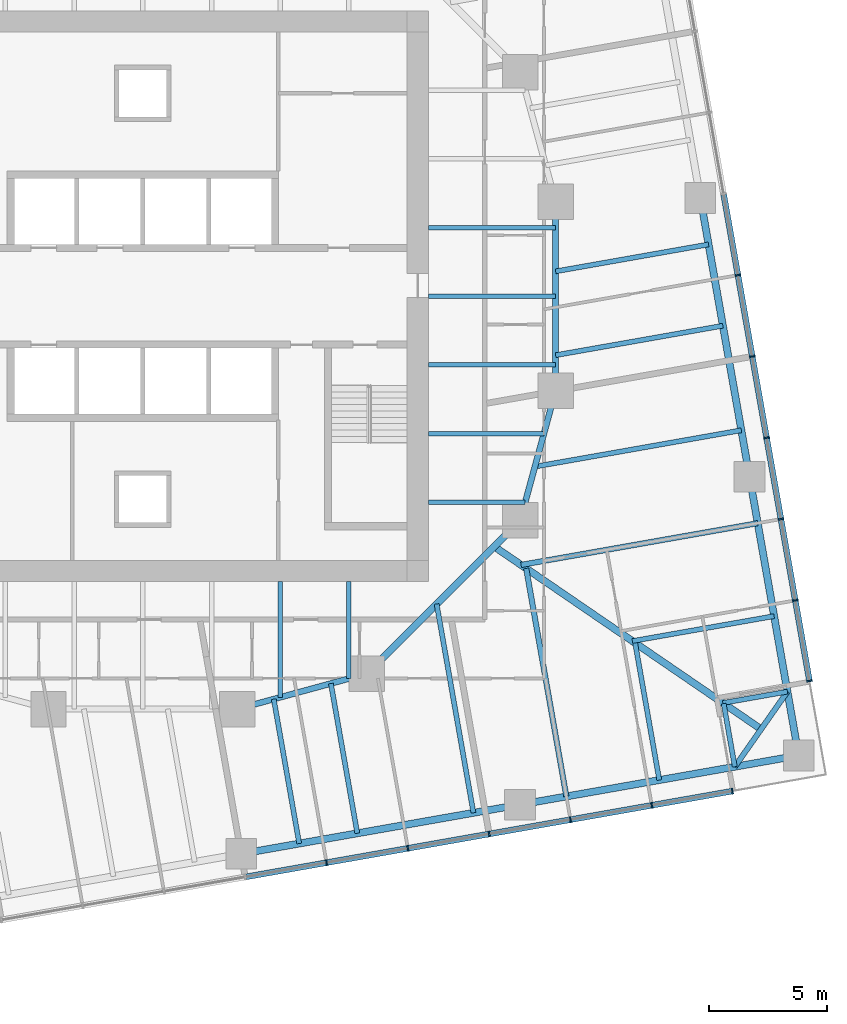
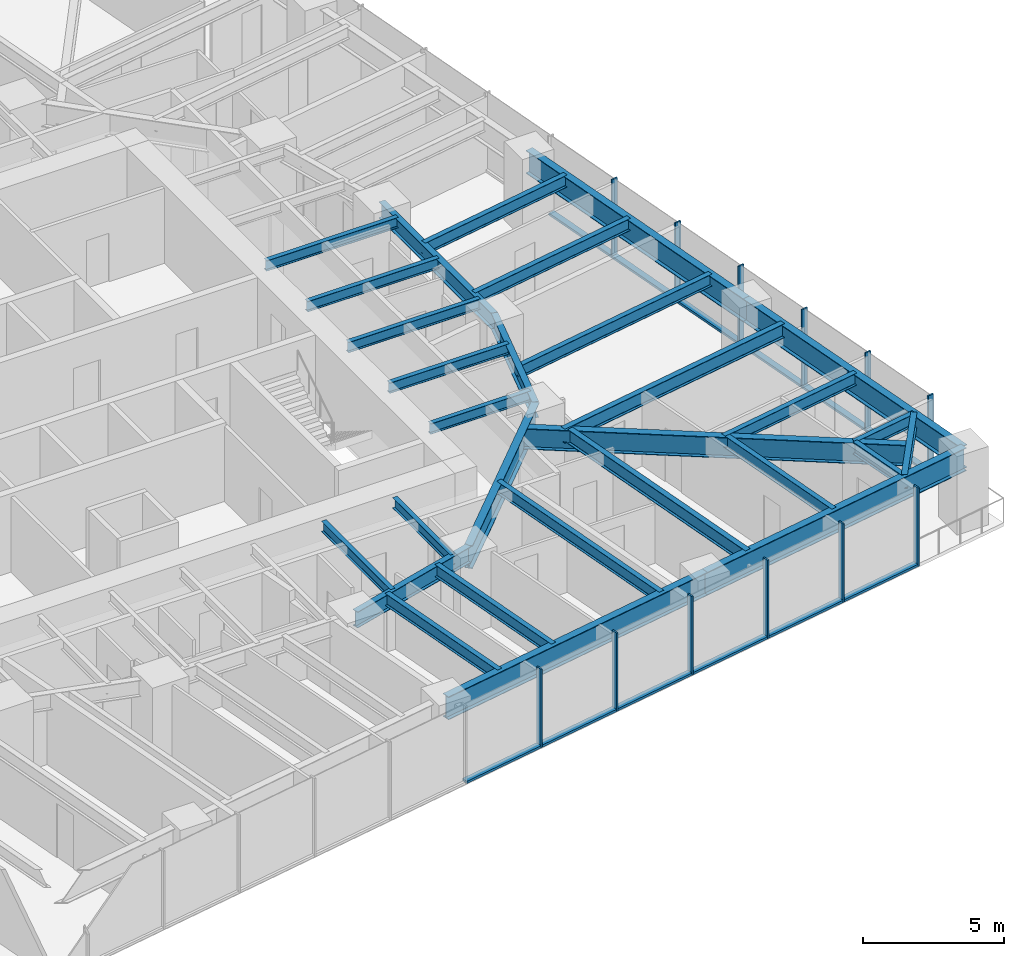
# One storey, part 4 of 14: 29 beams, 24 members, 2 elements without a shape of their own.
"""IFC4 building model written with IfcOpenShell, lengths in metres."""

from ifc_helpers import new_model, si_unit, direction, frame, origin, origin_2d, place, context, subcontext, project, spatial, rectangle, i_section, extrude, material, material_profile, profile_set, type_object, element, aggregate, save


model = new_model("IFC4")

# Units and contexts
model_context = context("Model", 3, precision=1e-05, world=origin(), true_north=direction((0.0, 1.0)))
body_context = subcontext(model_context, "Body", "Model", "MODEL_VIEW")
ifc_project = project(units=[si_unit("LENGTHUNIT", "METRE"), si_unit("AREAUNIT", "SQUARE_METRE"), si_unit("VOLUMEUNIT", "CUBIC_METRE"), si_unit("PLANEANGLEUNIT", "RADIAN"), si_unit("MASSUNIT", "GRAM", prefix="KILO")], contexts=[model_context])

# Site, building, storey
site_placement = place(None, origin())
site = spatial("IfcSite", under=ifc_project, at=site_placement, CompositionType="ELEMENT")
building_placement = place(site_placement, origin())
building = spatial("IfcBuilding", under=site, at=building_placement, Name="Torsade Residences", CompositionType="ELEMENT")
storey_placement = place(building_placement, frame((0.0, 0.0, 96.39990234375)))
storey = spatial("IfcBuildingStorey", under=building, at=storey_placement, Name="L26", CompositionType="ELEMENT", Elevation=96.39990234375)

# Beams
ifc_material_1 = material(Name="Steel grade 300", Category="steel")
ifc_material_profile_1 = material_profile(ifc_material_1, i_section(OverallWidth=0.300048828125, OverallDepth=0.89990234375, WebThickness=0.011962890625, FlangeThickness=0.02490234375, at=origin_2d()), Name="900WB175")
ifc_profile_set_1 = profile_set([ifc_material_profile_1], Name="Steel grade 300")
beam_type_1 = type_object("IfcBeamType", Name="CORNER GIRDER 900WB175", PredefinedType="BEAM", material=ifc_profile_set_1)
beam_1_placement = place(storey_placement, frame((66.2099609375, 11.6474609375, 2.800048828125), z_axis=(-0.825279313977, 0.564724759437, 0.0), x_axis=(-0.564724759437, -0.825279313977, 0.0)))
element("IfcBeam", 1, at=beam_1_placement, inside=storey, type_object=beam_type_1, Name="Corner girder 05 L27", PredefinedType="BEAM", context=body_context, shape_type="SweptSolid", body=[
    extrude(i_section(OverallWidth=0.300048828125, OverallDepth=0.89990234375, WebThickness=0.011962890625, FlangeThickness=0.02490234375, at=origin_2d()), origin(), (0.0, 0.0, 1.0), 13.7138671875),
])
ifc_material_2 = material(Name="Steel grade 300", Category="steel")
ifc_material_profile_2 = material_profile(ifc_material_2, i_section(OverallWidth=0.22802734375, OverallDepth=0.60205078125, WebThickness=0.010498046875, FlangeThickness=0.014892578125, FilletRadius=0.013916015625, at=origin_2d()), Name="610UB101")
ifc_profile_set_2 = profile_set([ifc_material_profile_2], Name="Steel grade 300")
beam_type_2 = type_object("IfcBeamType", Name="CORNER TRIMMER 610UB101", PredefinedType="BEAM", material=ifc_profile_set_2)
beam_2_placement = place(storey_placement, frame((67.325439453125, 13.240478515625, 2.94921875), z_axis=(-0.573576092373, -0.819152285145, 0.0), x_axis=(0.819152285145, -0.573576092373, 0.0)))
element("IfcBeam", 2, at=beam_2_placement, inside=storey, type_object=beam_type_2, Name="Corner trimmer 05 L27", PredefinedType="BEAM", context=body_context, shape_type="SweptSolid", body=[
    extrude(i_section(OverallWidth=0.22802734375, OverallDepth=0.60205078125, WebThickness=0.010498046875, FlangeThickness=0.014892578125, FilletRadius=0.013916015625, at=origin_2d()), origin(), (0.0, 0.0, 1.0), 3.88916015625),
])

# Curtain wall, members
ifc_material_3 = material(Name="Aluminium and glass", Category="aluminium")
curtain_wall_type = type_object("IfcCurtainWallType", Name="FRITTED GLASS CURTAIN WALL LOW ZONE", PredefinedType="NOTDEFINED", material=ifc_material_3)
curtain_wall_1_placement = place(storey_placement, origin())
curtain_wall_1 = element("IfcCurtainWall", 3, at=curtain_wall_1_placement, inside=storey, type_object=curtain_wall_type, Name="Curtain wall L26 face 1", PredefinedType="NOTDEFINED")
ifc_material_4 = material(Name="Aluminium mullion", Category="aluminium")
ifc_material_profile_3 = material_profile(ifc_material_4, rectangle(XDim=0.25, YDim=0.06494140625, at=origin_2d()), Name="CURTAIN WALL MULLION 250x65")
ifc_profile_set_3 = profile_set([ifc_material_profile_3], Name="Aluminium mullion")
member_type_1 = type_object("IfcMemberType", Name="CURTAIN WALL MULLION 250x65", PredefinedType="MULLION", material=ifc_profile_set_3)
member_1_placement = place(storey_placement, frame((47.7880859375, 5.987548828125, 0.0), z_axis=(0.0, 0.0, 1.0), x_axis=(-0.173648192638, 0.984807750372, 0.0)))
member_1 = element("IfcMember", 4, at=member_1_placement, type_object=member_type_1, Name="Mullion 8", PredefinedType="MULLION", context=body_context, shape_type="SweptSolid", body=[
    extrude(rectangle(XDim=0.25, YDim=0.06494140625, at=origin_2d()), origin(), (0.0, 0.0, 1.0), 3.400146484375),
])
member_2_placement = place(storey_placement, frame((51.23486328125, 6.595458984375, 0.0), z_axis=(0.0, 0.0, 1.0), x_axis=(-0.173648192638, 0.984807750372, 0.0)))
member_2 = element("IfcMember", 5, at=member_2_placement, type_object=member_type_1, Name="Mullion 9", PredefinedType="MULLION", context=body_context, shape_type="SweptSolid", body=[
    extrude(rectangle(XDim=0.25, YDim=0.06494140625, at=origin_2d()), origin(), (0.0, 0.0, 1.0), 3.400146484375),
])
member_3_placement = place(storey_placement, frame((54.681640625, 7.203125, 0.0), z_axis=(0.0, 0.0, 1.0), x_axis=(-0.173648192638, 0.984807750372, 0.0)))
member_3 = element("IfcMember", 6, at=member_3_placement, type_object=member_type_1, Name="Mullion 10", PredefinedType="MULLION", context=body_context, shape_type="SweptSolid", body=[
    extrude(rectangle(XDim=0.25, YDim=0.06494140625, at=origin_2d()), origin(), (0.0, 0.0, 1.0), 3.400146484375),
])
member_4_placement = place(storey_placement, frame((58.12841796875, 7.810791015625, 0.0), z_axis=(0.0, 0.0, 1.0), x_axis=(-0.173648192638, 0.984807750372, 0.0)))
member_4 = element("IfcMember", 7, at=member_4_placement, type_object=member_type_1, Name="Mullion 11", PredefinedType="MULLION", context=body_context, shape_type="SweptSolid", body=[
    extrude(rectangle(XDim=0.25, YDim=0.06494140625, at=origin_2d()), origin(), (0.0, 0.0, 1.0), 3.400146484375),
])
member_5_placement = place(storey_placement, frame((61.575439453125, 8.418701171875, 0.0), z_axis=(0.0, 0.0, 1.0), x_axis=(-0.173648192638, 0.984807750372, 0.0)))
member_5 = element("IfcMember", 8, at=member_5_placement, type_object=member_type_1, Name="Mullion 12", PredefinedType="MULLION", context=body_context, shape_type="SweptSolid", body=[
    extrude(rectangle(XDim=0.25, YDim=0.06494140625, at=origin_2d()), origin(), (0.0, 0.0, 1.0), 3.400146484375),
])
member_6_placement = place(storey_placement, frame((64.990234375, 9.020751953125, 0.0), z_axis=(0.0, 0.0, 1.0), x_axis=(-0.173648192638, 0.984807750372, 0.0)))
member_6 = element("IfcMember", 9, at=member_6_placement, type_object=member_type_1, Name="Mullion 13", PredefinedType="MULLION", context=body_context, shape_type="SweptSolid", body=[
    extrude(rectangle(XDim=0.25, YDim=0.06494140625, at=origin_2d()), origin(), (0.0, 0.0, 1.0), 3.400146484375),
])

curtain_wall_2_placement = place(storey_placement, origin())
curtain_wall_2 = element("IfcCurtainWall", 10, at=curtain_wall_2_placement, inside=storey, type_object=curtain_wall_type, Name="Curtain wall L26 face 4", PredefinedType="NOTDEFINED")
member_7_placement = place(storey_placement, frame((68.26123046875, 13.692138671875, 0.0), z_axis=(0.0, 0.0, 1.0), x_axis=(-0.984807750372, -0.173648192638, 0.0)))
member_7 = element("IfcMember", 11, at=member_7_placement, type_object=member_type_1, Name="Mullion 1", PredefinedType="MULLION", context=body_context, shape_type="SweptSolid", body=[
    extrude(rectangle(XDim=0.25, YDim=0.06494140625, at=origin_2d()), origin(), (0.0, 0.0, 1.0), 3.400146484375),
])
member_8_placement = place(storey_placement, frame((67.658935546875, 17.107177734375, 0.0), z_axis=(0.0, 0.0, 1.0), x_axis=(-0.984807750372, -0.173648192638, 0.0)))
member_8 = element("IfcMember", 12, at=member_8_placement, type_object=member_type_1, Name="Mullion 2", PredefinedType="MULLION", context=body_context, shape_type="SweptSolid", body=[
    extrude(rectangle(XDim=0.25, YDim=0.06494140625, at=origin_2d()), origin(), (0.0, 0.0, 1.0), 3.400146484375),
])
member_9_placement = place(storey_placement, frame((67.05126953125, 20.553955078125, 0.0), z_axis=(0.0, 0.0, 1.0), x_axis=(-0.984807750372, -0.173648192638, 0.0)))
member_9 = element("IfcMember", 13, at=member_9_placement, type_object=member_type_1, Name="Mullion 3", PredefinedType="MULLION", context=body_context, shape_type="SweptSolid", body=[
    extrude(rectangle(XDim=0.25, YDim=0.06494140625, at=origin_2d()), origin(), (0.0, 0.0, 1.0), 3.400146484375),
])
member_10_placement = place(storey_placement, frame((66.443603515625, 24.000732421875, 0.0), z_axis=(0.0, 0.0, 1.0), x_axis=(-0.984807750372, -0.173648192638, 0.0)))
member_10 = element("IfcMember", 14, at=member_10_placement, type_object=member_type_1, Name="Mullion 4", PredefinedType="MULLION", context=body_context, shape_type="SweptSolid", body=[
    extrude(rectangle(XDim=0.25, YDim=0.06494140625, at=origin_2d()), origin(), (0.0, 0.0, 1.0), 3.400146484375),
])
member_11_placement = place(storey_placement, frame((65.835693359375, 27.447509765625, 0.0), z_axis=(0.0, 0.0, 1.0), x_axis=(-0.984807750372, -0.173648192638, 0.0)))
member_11 = element("IfcMember", 15, at=member_11_placement, type_object=member_type_1, Name="Mullion 5", PredefinedType="MULLION", context=body_context, shape_type="SweptSolid", body=[
    extrude(rectangle(XDim=0.25, YDim=0.06494140625, at=origin_2d()), origin(), (0.0, 0.0, 1.0), 3.400146484375),
])
member_12_placement = place(storey_placement, frame((65.22802734375, 30.894287109375, 0.0), z_axis=(0.0, 0.0, 1.0), x_axis=(-0.984807750372, -0.173648192638, 0.0)))
member_12 = element("IfcMember", 16, at=member_12_placement, type_object=member_type_1, Name="Mullion 6", PredefinedType="MULLION", context=body_context, shape_type="SweptSolid", body=[
    extrude(rectangle(XDim=0.25, YDim=0.06494140625, at=origin_2d()), origin(), (0.0, 0.0, 1.0), 3.400146484375),
])

# Member
ifc_material_5 = material(Name="Aluminium transom", Category="aluminium")
ifc_material_profile_4 = material_profile(ifc_material_5, rectangle(XDim=0.25, YDim=0.10009765625, at=origin_2d()), Name="CURTAIN WALL TRANSOM 250x100")
ifc_profile_set_4 = profile_set([ifc_material_profile_4], Name="Aluminium transom")
member_type_2 = type_object("IfcMemberType", Name="CURTAIN WALL TRANSOM 250x100", PredefinedType="USERDEFINED", material=ifc_profile_set_4)
member_13_placement = place(storey_placement, frame((44.373291015625, 5.385498046875, 0.050048828125), z_axis=(0.984810021497, 0.17363531196, 0.0), x_axis=(-0.17363531196, 0.984810021497, 0.0)))
member_13 = element("IfcMember", 17, at=member_13_placement, type_object=member_type_2, Name="Transom 7.1", ObjectType="TRANSOM", PredefinedType="USERDEFINED", context=body_context, shape_type="SweptSolid", body=[
    extrude(rectangle(XDim=0.25, YDim=0.10009765625, at=origin_2d()), origin(), (0.0, 0.0, 1.0), 3.43505859375),
])

member_14_placement = place(storey_placement, frame((47.820068359375, 5.9931640625, 0.050048828125), z_axis=(0.984810021497, 0.17363531196, 0.0), x_axis=(-0.17363531196, 0.984810021497, 0.0)))
member_14 = element("IfcMember", 18, at=member_14_placement, type_object=member_type_2, Name="Transom 8.1", ObjectType="TRANSOM", PredefinedType="USERDEFINED", context=body_context, shape_type="SweptSolid", body=[
    extrude(rectangle(XDim=0.25, YDim=0.10009765625, at=origin_2d()), origin(), (0.0, 0.0, 1.0), 3.43505859375),
])

member_15_placement = place(storey_placement, frame((51.266845703125, 6.60107421875, 0.050048828125), z_axis=(0.984810021497, 0.17363531196, 0.0), x_axis=(-0.17363531196, 0.984810021497, 0.0)))
member_15 = element("IfcMember", 19, at=member_15_placement, type_object=member_type_2, Name="Transom 9.1", ObjectType="TRANSOM", PredefinedType="USERDEFINED", context=body_context, shape_type="SweptSolid", body=[
    extrude(rectangle(XDim=0.25, YDim=0.10009765625, at=origin_2d()), origin(), (0.0, 0.0, 1.0), 3.43505859375),
])

member_16_placement = place(storey_placement, frame((54.713623046875, 7.208740234375, 0.050048828125), z_axis=(0.984810021497, 0.17363531196, 0.0), x_axis=(-0.17363531196, 0.984810021497, 0.0)))
member_16 = element("IfcMember", 20, at=member_16_placement, type_object=member_type_2, Name="Transom 10.1", ObjectType="TRANSOM", PredefinedType="USERDEFINED", context=body_context, shape_type="SweptSolid", body=[
    extrude(rectangle(XDim=0.25, YDim=0.10009765625, at=origin_2d()), origin(), (0.0, 0.0, 1.0), 3.43505859375),
])

member_17_placement = place(storey_placement, frame((58.160400390625, 7.81640625, 0.050048828125), z_axis=(0.98479786563, 0.173704242465, 0.0), x_axis=(-0.173704242465, 0.98479786563, 0.0)))
member_17 = element("IfcMember", 21, at=member_17_placement, type_object=member_type_2, Name="Transom 11.1", ObjectType="TRANSOM", PredefinedType="USERDEFINED", context=body_context, shape_type="SweptSolid", body=[
    extrude(rectangle(XDim=0.25, YDim=0.10009765625, at=origin_2d()), origin(), (0.0, 0.0, 1.0), 3.43505859375),
])

member_18_placement = place(storey_placement, frame((61.607421875, 8.42431640625, 0.050048828125), z_axis=(0.984808830466, 0.173642067011, 0.0), x_axis=(-0.173642067011, 0.984808830466, 0.0)))
member_18 = element("IfcMember", 22, at=member_18_placement, type_object=member_type_2, Name="Transom 12.1", ObjectType="TRANSOM", PredefinedType="USERDEFINED", context=body_context, shape_type="SweptSolid", body=[
    extrude(rectangle(XDim=0.25, YDim=0.10009765625, at=origin_2d()), origin(), (0.0, 0.0, 1.0), 3.402587890625),
])

aggregate(curtain_wall_1, [member_1, member_2, member_3, member_4, member_5, member_6, member_13, member_14, member_15, member_16, member_17, member_18])

member_19_placement = place(storey_placement, frame((68.255615234375, 13.724365234375, 0.050048828125), z_axis=(-0.173654337918, 0.984806666774, 0.0), x_axis=(-0.984806666774, -0.173654337918, 0.0)))
member_19 = element("IfcMember", 23, at=member_19_placement, type_object=member_type_2, Name="Transom 1.1", ObjectType="TRANSOM", PredefinedType="USERDEFINED", context=body_context, shape_type="SweptSolid", body=[
    extrude(rectangle(XDim=0.25, YDim=0.10009765625, at=origin_2d()), origin(), (0.0, 0.0, 1.0), 3.40234375),
])

member_20_placement = place(storey_placement, frame((67.6533203125, 17.13916015625, 0.050048828125), z_axis=(-0.17363531196, 0.984810021497, 0.0), x_axis=(-0.984810021497, -0.17363531196, 0.0)))
member_20 = element("IfcMember", 24, at=member_20_placement, type_object=member_type_2, Name="Transom 2.1", ObjectType="TRANSOM", PredefinedType="USERDEFINED", context=body_context, shape_type="SweptSolid", body=[
    extrude(rectangle(XDim=0.25, YDim=0.10009765625, at=origin_2d()), origin(), (0.0, 0.0, 1.0), 3.43505859375),
])

member_21_placement = place(storey_placement, frame((67.045654296875, 20.5859375, 0.050048828125), z_axis=(-0.17363531196, 0.984810021497, 0.0), x_axis=(-0.984810021497, -0.17363531196, 0.0)))
member_21 = element("IfcMember", 25, at=member_21_placement, type_object=member_type_2, Name="Transom 3.1", ObjectType="TRANSOM", PredefinedType="USERDEFINED", context=body_context, shape_type="SweptSolid", body=[
    extrude(rectangle(XDim=0.25, YDim=0.10009765625, at=origin_2d()), origin(), (0.0, 0.0, 1.0), 3.43505859375),
])

member_22_placement = place(storey_placement, frame((66.437744140625, 24.03271484375, 0.050048828125), z_axis=(-0.17363531196, 0.984810021497, 0.0), x_axis=(-0.984810021497, -0.17363531196, 0.0)))
member_22 = element("IfcMember", 26, at=member_22_placement, type_object=member_type_2, Name="Transom 4.1", ObjectType="TRANSOM", PredefinedType="USERDEFINED", context=body_context, shape_type="SweptSolid", body=[
    extrude(rectangle(XDim=0.25, YDim=0.10009765625, at=origin_2d()), origin(), (0.0, 0.0, 1.0), 3.43505859375),
])

member_23_placement = place(storey_placement, frame((65.830078125, 27.4794921875, 0.050048828125), z_axis=(-0.17363531196, 0.984810021497, 0.0), x_axis=(-0.984810021497, -0.17363531196, 0.0)))
member_23 = element("IfcMember", 27, at=member_23_placement, type_object=member_type_2, Name="Transom 5.1", ObjectType="TRANSOM", PredefinedType="USERDEFINED", context=body_context, shape_type="SweptSolid", body=[
    extrude(rectangle(XDim=0.25, YDim=0.10009765625, at=origin_2d()), origin(), (0.0, 0.0, 1.0), 3.43505859375),
])

member_24_placement = place(storey_placement, frame((65.222412109375, 30.92626953125, 0.050048828125), z_axis=(-0.173704242465, 0.98479786563, 0.0), x_axis=(-0.98479786563, -0.173704242465, 0.0)))
member_24 = element("IfcMember", 28, at=member_24_placement, type_object=member_type_2, Name="Transom 6.1", ObjectType="TRANSOM", PredefinedType="USERDEFINED", context=body_context, shape_type="SweptSolid", body=[
    extrude(rectangle(XDim=0.25, YDim=0.10009765625, at=origin_2d()), origin(), (0.0, 0.0, 1.0), 3.43505859375),
])

aggregate(curtain_wall_2, [member_7, member_8, member_9, member_10, member_11, member_12, member_19, member_20, member_21, member_22, member_23, member_24])

# Beams
ifc_material_6 = material(Name="Steel grade 300", Category="steel")
ifc_material_profile_5 = material_profile(ifc_material_6, i_section(OverallWidth=0.300048828125, OverallDepth=1.0, WebThickness=0.01611328125, FlangeThickness=0.028076171875, at=origin_2d()), Name="1000WB215")
ifc_profile_set_5 = profile_set([ifc_material_profile_5], Name="Steel grade 300")
beam_type_3 = type_object("IfcBeamType", Name="EDGE BEAM 1000WB215", PredefinedType="SPANDREL", material=ifc_profile_set_5)
beam_3_placement = place(storey_placement, frame((44.16748046875, 6.364501953125, 2.75), z_axis=(0.984805261243, 0.173662308598, 0.0), x_axis=(-0.173662308598, 0.984805261243, 0.0)))
element("IfcBeam", 29, at=beam_3_placement, inside=storey, type_object=beam_type_3, Name="Edge beam 03 L27", PredefinedType="SPANDREL", context=body_context, shape_type="SweptSolid", body=[
    extrude(i_section(OverallWidth=0.300048828125, OverallDepth=1.0, WebThickness=0.01611328125, FlangeThickness=0.028076171875, at=origin_2d()), origin(), (0.0, 0.0, 1.0), 12.000244140625),
])
for number, where, z_axis, x_axis, name in (
    (30, (55.9853515625, 8.448486328125, 2.75), (0.984808127031, 0.173646056486, 0.0), (-0.173646056486, 0.984808127031, 0.0), "Edge beam 04 L27"),
    (31, (67.802978515625, 10.5322265625, 2.75), (-0.173646056486, 0.984808127031, 0.0), (-0.984808127031, -0.173646056486, 0.0), "Edge beam 05 L27"),
    (32, (65.71923828125, 22.349853515625, 2.75), (-0.173646056486, 0.984808127031, 0.0), (-0.984808127031, -0.173646056486, 0.0), "Edge beam 06 L27"),
):
    element("IfcBeam", number, at=place(storey_placement, frame(where, z_axis=z_axis, x_axis=x_axis)), inside=storey, type_object=beam_type_3, Name=name, PredefinedType="SPANDREL", context=body_context, shape_type="SweptSolid", body=[
        extrude(i_section(OverallWidth=0.300048828125, OverallDepth=1.0, WebThickness=0.01611328125, FlangeThickness=0.028076171875, at=origin_2d()), origin(), (0.0, 0.0, 1.0), 12.0),
    ])
ifc_material_7 = material(Name="Steel grade 300", Category="steel")
ifc_material_profile_6 = material_profile(ifc_material_7, i_section(OverallWidth=0.18994140625, OverallDepth=0.4541015625, WebThickness=0.008544921875, FlangeThickness=0.0126953125, FilletRadius=0.011474609375, at=origin_2d()), Name="460UB67.1")
ifc_profile_set_6 = profile_set([ifc_material_profile_6], Name="Steel grade 300")
beam_type_4 = type_object("IfcBeamType", Name="INNER FLOOR BEAM 460UB67.1", PredefinedType="JOIST", material=ifc_profile_set_6)
beam_4_placement = place(storey_placement, frame((48.737548828125, 17.89990234375, 3.023193359375), z_axis=(0.0, -1.0, 0.0), x_axis=(1.0, 0.0, 0.0)))
element("IfcBeam", 33, at=beam_4_placement, inside=storey, type_object=beam_type_4, Name="Inner floor beam IS01 L27", PredefinedType="JOIST", context=body_context, shape_type="SweptSolid", body=[
    extrude(i_section(OverallWidth=0.18994140625, OverallDepth=0.4541015625, WebThickness=0.008544921875, FlangeThickness=0.0126953125, FilletRadius=0.011474609375, at=origin_2d()), origin(), (0.0, 0.0, 1.0), 4.10791015625),
])
beam_5_placement = place(storey_placement, frame((45.824951171875, 17.89990234375, 3.023193359375), z_axis=(0.0, -1.0, 0.0), x_axis=(1.0, 0.0, 0.0)))
element("IfcBeam", 34, at=beam_5_placement, inside=storey, type_object=beam_type_4, Name="Inner floor beam IS02 L27", PredefinedType="JOIST", context=body_context, shape_type="SweptSolid", body=[
    extrude(i_section(OverallWidth=0.18994140625, OverallDepth=0.4541015625, WebThickness=0.008544921875, FlangeThickness=0.0126953125, FilletRadius=0.011474609375, at=origin_2d()), origin(), (0.0, 0.0, 1.0), 4.902099609375),
])
beam_6_placement = place(storey_placement, frame((52.10009765625, 21.262451171875, 3.023193359375), z_axis=(1.0, 0.0, 0.0), x_axis=(0.0, 1.0, 0.0)))
element("IfcBeam", 35, at=beam_6_placement, inside=storey, type_object=beam_type_4, Name="Inner floor beam IE01 L27", PredefinedType="JOIST", context=body_context, shape_type="SweptSolid", body=[
    extrude(i_section(OverallWidth=0.18994140625, OverallDepth=0.4541015625, WebThickness=0.008544921875, FlangeThickness=0.0126953125, FilletRadius=0.011474609375, at=origin_2d()), origin(), (0.0, 0.0, 1.0), 4.10791015625),
])
beam_7_placement = place(storey_placement, frame((52.10009765625, 24.175048828125, 3.023193359375), z_axis=(1.0, 0.0, 0.0), x_axis=(0.0, 1.0, 0.0)))
element("IfcBeam", 36, at=beam_7_placement, inside=storey, type_object=beam_type_4, Name="Inner floor beam IE02 L27", PredefinedType="JOIST", context=body_context, shape_type="SweptSolid", body=[
    extrude(i_section(OverallWidth=0.18994140625, OverallDepth=0.4541015625, WebThickness=0.008544921875, FlangeThickness=0.0126953125, FilletRadius=0.011474609375, at=origin_2d()), origin(), (0.0, 0.0, 1.0), 4.902099609375),
])
for number, where, z_axis, x_axis, name in (
    (37, (52.10009765625, 27.08740234375, 3.023193359375), (1.0, 0.0, 0.0), (0.0, 1.0, 0.0), "Inner floor beam IE03 L27"),
    (38, (52.10009765625, 30.0, 3.023193359375), (1.0, 0.0, 0.0), (0.0, 1.0, 0.0), "Inner floor beam IE04 L27"),
    (39, (52.10009765625, 32.91259765625, 3.023193359375), (1.0, 0.0, 0.0), (0.0, 1.0, 0.0), "Inner floor beam IE05 L27"),
):
    element("IfcBeam", number, at=place(storey_placement, frame(where, z_axis=z_axis, x_axis=x_axis)), inside=storey, type_object=beam_type_4, Name=name, PredefinedType="JOIST", context=body_context, shape_type="SweptSolid", body=[
        extrude(i_section(OverallWidth=0.18994140625, OverallDepth=0.4541015625, WebThickness=0.008544921875, FlangeThickness=0.0126953125, FilletRadius=0.011474609375, at=origin_2d()), origin(), (0.0, 0.0, 1.0), 5.39990234375),
    ])
ifc_material_8 = material(Name="Steel grade 300", Category="steel")
ifc_material_profile_7 = material_profile(ifc_material_8, i_section(OverallWidth=0.300048828125, OverallDepth=1.0, WebThickness=0.01611328125, FlangeThickness=0.028076171875, at=origin_2d()), Name="1000WB215")
ifc_profile_set_7 = profile_set([ifc_material_profile_7], Name="Steel grade 300")
beam_type_5 = type_object("IfcBeamType", Name="RING CORNER GIRDER 1000WB215", PredefinedType="BEAM", material=ifc_profile_set_7)
beam_8_placement = place(storey_placement, frame((49.5, 14.0, 2.75), z_axis=(0.707106781187, 0.707106781187, 0.0), x_axis=(-0.707106781187, 0.707106781187, 0.0)))
element("IfcBeam", 40, at=beam_8_placement, inside=storey, type_object=beam_type_5, Name="Ring girder IR15 L27", PredefinedType="BEAM", context=body_context, shape_type="SweptSolid", body=[
    extrude(i_section(OverallWidth=0.300048828125, OverallDepth=1.0, WebThickness=0.01611328125, FlangeThickness=0.028076171875, at=origin_2d()), origin(), (0.0, 0.0, 1.0), 9.1923828125),
])
ifc_material_9 = material(Name="Steel grade 300", Category="steel")
ifc_material_profile_8 = material_profile(ifc_material_9, i_section(OverallWidth=0.25, OverallDepth=0.699951171875, WebThickness=0.010009765625, FlangeThickness=0.02001953125, at=origin_2d()), Name="700WB130")
ifc_profile_set_8 = profile_set([ifc_material_profile_8], Name="Steel grade 300")
beam_type_6 = type_object("IfcBeamType", Name="RING GIRDER 700WB130", PredefinedType="BEAM", material=ifc_profile_set_8)
beam_9_placement = place(storey_placement, frame((57.5, 26.0, 2.900146484375), z_axis=(0.0, 1.0, 0.0), x_axis=(-1.0, 0.0, 0.0)))
element("IfcBeam", 41, at=beam_9_placement, inside=storey, type_object=beam_type_6, Name="Ring girder IR01 L27", PredefinedType="BEAM", context=body_context, shape_type="SweptSolid", body=[
    extrude(i_section(OverallWidth=0.25, OverallDepth=0.699951171875, WebThickness=0.010009765625, FlangeThickness=0.02001953125, at=origin_2d()), origin(), (0.0, 0.0, 1.0), 8.0),
])
for number, where, z_axis, x_axis, name in (
    (42, (44.0, 12.5, 2.900146484375), (0.964763821238, 0.263117405792, 0.0), (-0.263117405792, 0.964763821238, 0.0), "Ring girder IR14 L27"),
    (43, (56.0, 20.5, 2.900146484375), (0.263117405792, 0.964763821238, 0.0), (-0.964763821238, 0.263117405792, 0.0), "Ring girder IR16 L27"),
):
    element("IfcBeam", number, at=place(storey_placement, frame(where, z_axis=z_axis, x_axis=x_axis)), inside=storey, type_object=beam_type_6, Name=name, PredefinedType="BEAM", context=body_context, shape_type="SweptSolid", body=[
        extrude(i_section(OverallWidth=0.25, OverallDepth=0.699951171875, WebThickness=0.010009765625, FlangeThickness=0.02001953125, at=origin_2d()), origin(), (0.0, 0.0, 1.0), 5.700927734375),
    ])
ifc_material_10 = material(Name="Steel grade 300", Category="steel")
ifc_material_profile_9 = material_profile(ifc_material_10, i_section(OverallWidth=0.208984375, OverallDepth=0.528076171875, WebThickness=0.009521484375, FlangeThickness=0.01318359375, FilletRadius=0.013916015625, at=origin_2d()), Name="530UB82.0")
ifc_profile_set_9 = profile_set([ifc_material_profile_9], Name="Steel grade 300")
beam_type_7 = type_object("IfcBeamType", Name="SECONDARY BEAM 530UB82.0", PredefinedType="JOIST", material=ifc_profile_set_9)
beam_10_placement = place(storey_placement, frame((46.629638671875, 6.798828125, 2.986083984375), z_axis=(-0.173655425542, 0.984806474989, 0.0), x_axis=(-0.984806474989, -0.173655425542, 0.0)))
element("IfcBeam", 44, at=beam_10_placement, inside=storey, type_object=beam_type_7, Name="Floor beam FS07 L27", PredefinedType="JOIST", context=body_context, shape_type="SweptSolid", body=[
    extrude(i_section(OverallWidth=0.208984375, OverallDepth=0.528076171875, WebThickness=0.009521484375, FlangeThickness=0.01318359375, FilletRadius=0.013916015625, at=origin_2d()), origin(), (0.0, 0.0, 1.0), 6.21826171875),
])
beam_11_placement = place(storey_placement, frame((49.091552734375, 7.23291015625, 2.986083984375), z_axis=(-0.17363198078, 0.984810608823, 0.0), x_axis=(-0.984810608823, -0.17363198078, 0.0)))
element("IfcBeam", 45, at=beam_11_placement, inside=storey, type_object=beam_type_7, Name="Floor beam FS08 L27", PredefinedType="JOIST", context=body_context, shape_type="SweptSolid", body=[
    extrude(i_section(OverallWidth=0.208984375, OverallDepth=0.528076171875, WebThickness=0.009521484375, FlangeThickness=0.01318359375, FilletRadius=0.013916015625, at=origin_2d()), origin(), (0.0, 0.0, 1.0), 6.4482421875),
])
beam_12_placement = place(storey_placement, frame((54.015625, 8.10107421875, 2.986083984375), z_axis=(-0.173639706679, 0.984809246638, 0.0), x_axis=(-0.984809246638, -0.173639706679, 0.0)))
element("IfcBeam", 46, at=beam_12_placement, inside=storey, type_object=beam_type_7, Name="Floor beam FS09 L27", PredefinedType="JOIST", context=body_context, shape_type="SweptSolid", body=[
    extrude(i_section(OverallWidth=0.208984375, OverallDepth=0.528076171875, WebThickness=0.009521484375, FlangeThickness=0.01318359375, FilletRadius=0.013916015625, at=origin_2d()), origin(), (0.0, 0.0, 1.0), 8.989990234375),
])
beam_13_placement = place(storey_placement, frame((61.89404296875, 9.490234375, 2.986083984375), z_axis=(-0.173629569808, 0.984811033899, 0.0), x_axis=(-0.984811033899, -0.173629569808, 0.0)))
element("IfcBeam", 47, at=beam_13_placement, inside=storey, type_object=beam_type_7, Name="Floor beam FS11 L27", PredefinedType="JOIST", context=body_context, shape_type="SweptSolid", body=[
    extrude(i_section(OverallWidth=0.208984375, OverallDepth=0.528076171875, WebThickness=0.009521484375, FlangeThickness=0.01318359375, FilletRadius=0.013916015625, at=origin_2d()), origin(), (0.0, 0.0, 1.0), 5.9013671875),
])
beam_14_placement = place(storey_placement, frame((65.0947265625, 10.0546875, 2.986083984375), z_axis=(-0.17364710834, 0.984807941563, 0.0), x_axis=(-0.984807941563, -0.17364710834, 0.0)))
element("IfcBeam", 48, at=beam_14_placement, inside=storey, type_object=beam_type_7, Name="Floor beam FS12 L27", PredefinedType="JOIST", context=body_context, shape_type="SweptSolid", body=[
    extrude(i_section(OverallWidth=0.208984375, OverallDepth=0.528076171875, WebThickness=0.009521484375, FlangeThickness=0.01318359375, FilletRadius=0.013916015625, at=origin_2d()), origin(), (0.0, 0.0, 1.0), 2.720458984375),
])
beam_15_placement = place(storey_placement, frame((67.325439453125, 13.240478515625, 2.986083984375), z_axis=(-0.984797700832, -0.173705176765, 0.0), x_axis=(0.173705176765, -0.984797700832, 0.0)))
element("IfcBeam", 49, at=beam_15_placement, inside=storey, type_object=beam_type_7, Name="Floor beam FE01 L27", PredefinedType="JOIST", context=body_context, shape_type="SweptSolid", body=[
    extrude(i_section(OverallWidth=0.208984375, OverallDepth=0.528076171875, WebThickness=0.009521484375, FlangeThickness=0.01318359375, FilletRadius=0.013916015625, at=origin_2d()), origin(), (0.0, 0.0, 1.0), 2.780029296875),
])
beam_16_placement = place(storey_placement, frame((66.760986328125, 16.44091796875, 2.986083984375), z_axis=(-0.984809331556, -0.173639225065, 0.0), x_axis=(0.173639225065, -0.984809331556, 0.0)))
element("IfcBeam", 50, at=beam_16_placement, inside=storey, type_object=beam_type_7, Name="Floor beam FE02 L27", PredefinedType="JOIST", context=body_context, shape_type="SweptSolid", body=[
    extrude(i_section(OverallWidth=0.208984375, OverallDepth=0.528076171875, WebThickness=0.009521484375, FlangeThickness=0.01318359375, FilletRadius=0.013916015625, at=origin_2d()), origin(), (0.0, 0.0, 1.0), 6.100830078125),
])
beam_17_placement = place(storey_placement, frame((65.371826171875, 24.319580078125, 2.986083984375), z_axis=(-0.984804296147, -0.173667781384, 0.0), x_axis=(0.173667781384, -0.984804296147, 0.0)))
element("IfcBeam", 51, at=beam_17_placement, inside=storey, type_object=beam_type_7, Name="Floor beam FE04 L27", PredefinedType="JOIST", context=body_context, shape_type="SweptSolid", body=[
    extrude(i_section(OverallWidth=0.208984375, OverallDepth=0.528076171875, WebThickness=0.009521484375, FlangeThickness=0.01318359375, FilletRadius=0.013916015625, at=origin_2d()), origin(), (0.0, 0.0, 1.0), 8.885986328125),
])
beam_18_placement = place(storey_placement, frame((64.59033203125, 28.751220703125, 2.986083984375), z_axis=(-0.984807104535, -0.173651855324, 0.0), x_axis=(0.173651855324, -0.984807104535, 0.0)))
element("IfcBeam", 52, at=beam_18_placement, inside=storey, type_object=beam_type_7, Name="Floor beam FE05 L27", PredefinedType="JOIST", context=body_context, shape_type="SweptSolid", body=[
    extrude(i_section(OverallWidth=0.208984375, OverallDepth=0.528076171875, WebThickness=0.009521484375, FlangeThickness=0.01318359375, FilletRadius=0.013916015625, at=origin_2d()), origin(), (0.0, 0.0, 1.0), 7.19970703125),
])
beam_19_placement = place(storey_placement, frame((63.982666015625, 32.197998046875, 2.986083984375), z_axis=(-0.984807818459, -0.173647806501, 0.0), x_axis=(0.173647806501, -0.984807818459, 0.0)))
element("IfcBeam", 53, at=beam_19_placement, inside=storey, type_object=beam_type_7, Name="Floor beam FE06 L27", PredefinedType="JOIST", context=body_context, shape_type="SweptSolid", body=[
    extrude(i_section(OverallWidth=0.208984375, OverallDepth=0.528076171875, WebThickness=0.009521484375, FlangeThickness=0.01318359375, FilletRadius=0.013916015625, at=origin_2d()), origin(), (0.0, 0.0, 1.0), 6.582763671875),
])
ifc_material_11 = material(Name="Steel grade 300", Category="steel")
ifc_material_profile_10 = material_profile(ifc_material_11, i_section(OverallWidth=0.22900390625, OverallDepth=0.612060546875, WebThickness=0.011962890625, FlangeThickness=0.01953125, FilletRadius=0.013916015625, at=origin_2d()), Name="610UB125")
ifc_profile_set_10 = profile_set([ifc_material_profile_10], Name="Steel grade 300")
beam_type_8 = type_object("IfcBeamType", Name="SECONDARY BEAM 610UB125", PredefinedType="JOIST", material=ifc_profile_set_10)
beam_20_placement = place(storey_placement, frame((57.954833984375, 8.795654296875, 2.944091796875), z_axis=(-0.173651961637, 0.984807085789, 0.0), x_axis=(-0.984807085789, -0.173651961637, 0.0)))
element("IfcBeam", 54, at=beam_20_placement, inside=storey, type_object=beam_type_8, Name="Floor beam FS10 L27", PredefinedType="JOIST", context=body_context, shape_type="SweptSolid", body=[
    extrude(i_section(OverallWidth=0.22900390625, OverallDepth=0.612060546875, WebThickness=0.011962890625, FlangeThickness=0.01953125, FilletRadius=0.013916015625, at=origin_2d()), origin(), (0.0, 0.0, 1.0), 9.816162109375),
])
beam_21_placement = place(storey_placement, frame((66.06640625, 20.380126953125, 2.944091796875), z_axis=(-0.984808397525, -0.173644522411, 0.0), x_axis=(0.173644522411, -0.984808397525, 0.0)))
element("IfcBeam", 55, at=beam_21_placement, inside=storey, type_object=beam_type_8, Name="Floor beam FE03 L27", PredefinedType="JOIST", context=body_context, shape_type="SweptSolid", body=[
    extrude(i_section(OverallWidth=0.22900390625, OverallDepth=0.612060546875, WebThickness=0.011962890625, FlangeThickness=0.01953125, FilletRadius=0.013916015625, at=origin_2d()), origin(), (0.0, 0.0, 1.0), 10.187744140625),
])

save(model, "model.ifc")
